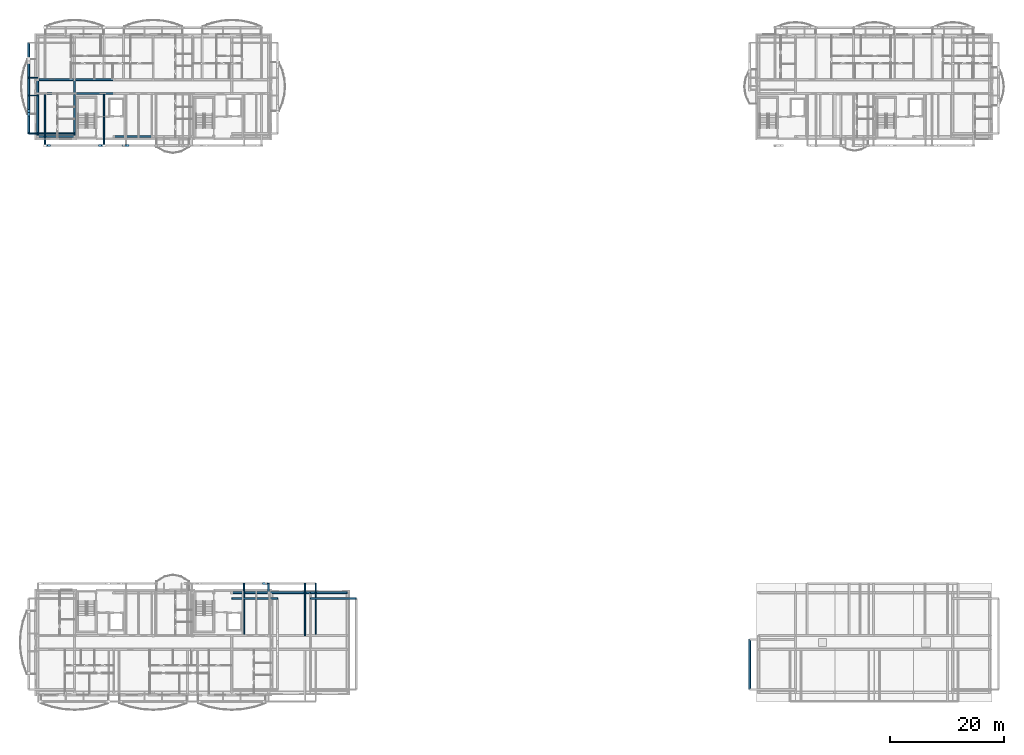
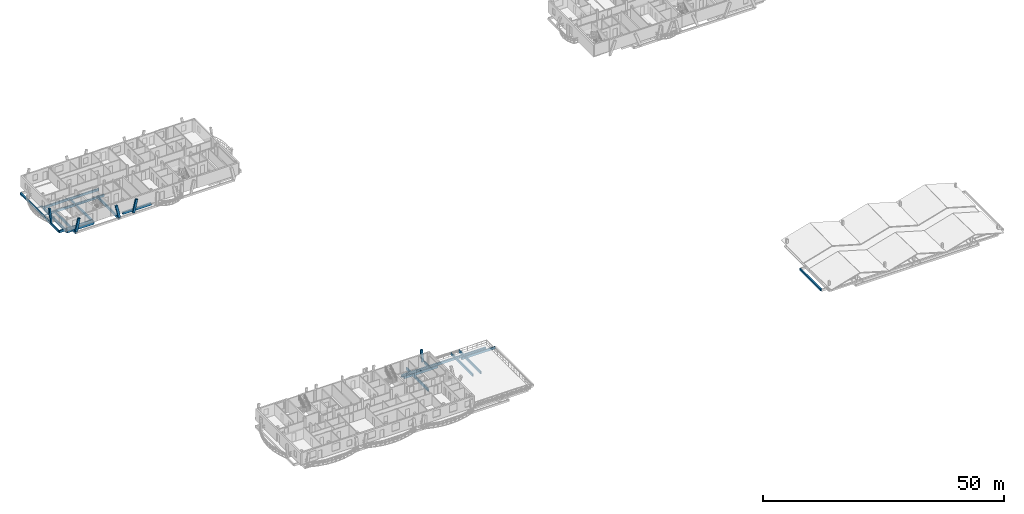
# One storey, part 4 of 33: 26 beams, 5 members.
"""IFC4 building model written with IfcOpenShell, lengths in metres."""

from ifc_helpers import new_model, si_unit, direction, frame, origin, origin_2d, place, context, subcontext, project, spatial, rectangle, i_section, extrude, material, material_profile, profile_set, type_object, element, save


model = new_model("IFC4")

# Units and contexts
model_context = context("Model", 3, precision=1e-05, world=origin(), true_north=direction((0.0, 1.0)))
body_context = subcontext(model_context, "Body", "Model", "MODEL_VIEW")
ifc_project = project(units=[si_unit("LENGTHUNIT", "METRE"), si_unit("AREAUNIT", "SQUARE_METRE"), si_unit("VOLUMEUNIT", "CUBIC_METRE"), si_unit("PLANEANGLEUNIT", "RADIAN"), si_unit("MASSUNIT", "GRAM", prefix="KILO")], contexts=[model_context])

# Site, building, storey
site_placement = place(None, origin())
site = spatial("IfcSite", under=ifc_project, at=site_placement, CompositionType="ELEMENT")
building_placement = place(site_placement, origin())
building = spatial("IfcBuilding", under=site, at=building_placement, Name="Zavelmont Quarter", CompositionType="ELEMENT")
storey_placement = place(building_placement, frame((0.0, 0.0, 30.39990234375)))
storey = spatial("IfcBuildingStorey", under=building, at=storey_placement, Name="L09", CompositionType="ELEMENT", Elevation=30.39990234375)

# Beams
ifc_material_1 = material(Name="Concrete C35/45", Category="concrete")
ifc_material_profile_1 = material_profile(ifc_material_1, rectangle(XDim=0.35009765625, YDim=0.60009765625, at=origin_2d()), Name="RC350X600")
ifc_profile_set_1 = profile_set([ifc_material_profile_1], Name="Concrete C35/45")
beam_type_1 = type_object("IfcBeamType", Name="BM01", PredefinedType="SPANDREL", material=ifc_profile_set_1)
beam_1_placement = place(storey_placement, frame((34.5, 17.9599609375, -0.539794921875), z_axis=(1.0, 0.0, 0.0), x_axis=(0.0, 1.0, 0.0)))
element("IfcBeam", 1, at=beam_1_placement, inside=storey, type_object=beam_type_1, Name="L09 beam BM01 6/D to 7/D", PredefinedType="SPANDREL", context=body_context, shape_type="SweptSolid", body=[
    extrude(rectangle(XDim=0.35009765625, YDim=0.60009765625, at=origin_2d()), origin(), (0.0, 0.0, 1.0), 6.4599609375),
])
beam_2_placement = place(storey_placement, frame((40.9599609375, 17.9599609375, -0.539794921875), z_axis=(1.0, 0.0, 0.0), x_axis=(0.0, 1.0, 0.0)))
element("IfcBeam", 2, at=beam_2_placement, inside=storey, type_object=beam_type_1, Name="L09 beam BM01 7/D to 8/D", PredefinedType="SPANDREL", context=body_context, shape_type="SweptSolid", body=[
    extrude(rectangle(XDim=0.35009765625, YDim=0.60009765625, at=origin_2d()), origin(), (0.0, 0.0, 1.0), 7.340087890625),
])
for number, where, z_axis, x_axis, name in (
    (3, (48.300048828125, 17.9599609375, -0.539794921875), (1.0, 0.0, 0.0), (0.0, 1.0, 0.0), "L09 beam BM01 8/D to 9/D"),
    (4, (0.43994140625, 98.0400390625, -0.539794921875), (1.0, 0.0, 0.0), (0.0, 1.0, 0.0), "L09 beam BM01 1/P to 2/P"),
):
    element("IfcBeam", number, at=place(storey_placement, frame(where, z_axis=z_axis, x_axis=x_axis)), inside=storey, type_object=beam_type_1, Name=name, PredefinedType="SPANDREL", context=body_context, shape_type="SweptSolid", body=[
        extrude(rectangle(XDim=0.35009765625, YDim=0.60009765625, at=origin_2d()), origin(), (0.0, 0.0, 1.0), 6.4599609375),
    ])
beam_3_placement = place(storey_placement, frame((13.800048828125, 98.0400390625, -0.539794921875), z_axis=(1.0, 0.0, 0.0), x_axis=(0.0, 1.0, 0.0)))
element("IfcBeam", 5, at=beam_3_placement, inside=storey, type_object=beam_type_1, Name="L09 beam BM01 3/P to 4/P", PredefinedType="SPANDREL", context=body_context, shape_type="SweptSolid", body=[
    extrude(rectangle(XDim=0.35009765625, YDim=0.60009765625, at=origin_2d()), origin(), (0.0, 0.0, 1.0), 6.89990234375),
])
ifc_material_profile_2 = material_profile(ifc_material_1, rectangle(XDim=0.300048828125, YDim=0.550048828125, at=origin_2d()), Name="RC300X550")
ifc_profile_set_2 = profile_set([ifc_material_profile_2], Name="Concrete C35/45")
beam_type_2 = type_object("IfcBeamType", Name="BM02", PredefinedType="SPANDREL", material=ifc_profile_set_2)
beam_4_placement = place(storey_placement, frame((0.43994140625, 105.60009765625, -0.514892578125), z_axis=(1.0, 0.0, 0.0), x_axis=(0.0, 1.0, 0.0)))
element("IfcBeam", 6, at=beam_4_placement, inside=storey, type_object=beam_type_2, Name="L09 beam BM02 1/Q to 2/Q", PredefinedType="SPANDREL", context=body_context, shape_type="SweptSolid", body=[
    extrude(rectangle(XDim=0.300048828125, YDim=0.550048828125, at=origin_2d()), origin(), (0.0, 0.0, 1.0), 6.4599609375),
])
beam_5_placement = place(storey_placement, frame((6.89990234375, 105.60009765625, -0.514892578125), z_axis=(1.0, 0.0, 0.0), x_axis=(0.0, 1.0, 0.0)))
element("IfcBeam", 7, at=beam_5_placement, inside=storey, type_object=beam_type_2, Name="L09 beam BM02 2/Q to 3/Q", PredefinedType="SPANDREL", context=body_context, shape_type="SweptSolid", body=[
    extrude(rectangle(XDim=0.300048828125, YDim=0.550048828125, at=origin_2d()), origin(), (0.0, 0.0, 1.0), 6.900146484375),
])
beam_6_placement = place(storey_placement, frame((0.43994140625, 108.0, -0.514892578125), z_axis=(1.0, 0.0, 0.0), x_axis=(0.0, 1.0, 0.0)))
element("IfcBeam", 8, at=beam_6_placement, inside=storey, type_object=beam_type_2, Name="L09 beam BM02 1/R to 2/R", PredefinedType="SPANDREL", context=body_context, shape_type="SweptSolid", body=[
    extrude(rectangle(XDim=0.300048828125, YDim=0.550048828125, at=origin_2d()), origin(), (0.0, 0.0, 1.0), 6.4599609375),
])
beam_7_placement = place(storey_placement, frame((6.89990234375, 108.0, -0.514892578125), z_axis=(1.0, 0.0, 0.0), x_axis=(0.0, 1.0, 0.0)))
element("IfcBeam", 9, at=beam_7_placement, inside=storey, type_object=beam_type_2, Name="L09 beam BM02 2/R to 3/R", PredefinedType="SPANDREL", context=body_context, shape_type="SweptSolid", body=[
    extrude(rectangle(XDim=0.300048828125, YDim=0.550048828125, at=origin_2d()), origin(), (0.0, 0.0, 1.0), 6.900146484375),
])
beam_8_placement = place(storey_placement, frame((0.43994140625, 98.0400390625, -0.514892578125), z_axis=(0.0, 1.0, 0.0), x_axis=(-1.0, 0.0, 0.0)))
element("IfcBeam", 10, at=beam_8_placement, inside=storey, type_object=beam_type_2, Name="L09 beam BM02 1/P to 1/Q", PredefinedType="SPANDREL", context=body_context, shape_type="SweptSolid", body=[
    extrude(rectangle(XDim=0.300048828125, YDim=0.550048828125, at=origin_2d()), origin(), (0.0, 0.0, 1.0), 7.56005859375),
])
beam_9_placement = place(storey_placement, frame((0.43994140625, 105.60009765625, -0.514892578125), z_axis=(0.0, 1.0, 0.0), x_axis=(-1.0, 0.0, 0.0)))
element("IfcBeam", 11, at=beam_9_placement, inside=storey, type_object=beam_type_2, Name="L09 beam BM02 1/Q to 1/R", PredefinedType="SPANDREL", context=body_context, shape_type="SweptSolid", body=[
    extrude(rectangle(XDim=0.300048828125, YDim=0.550048828125, at=origin_2d()), origin(), (0.0, 0.0, 1.0), 2.39990234375),
])
beam_10_placement = place(storey_placement, frame((6.89990234375, 98.0400390625, -0.514892578125), z_axis=(0.0, 1.0, 0.0), x_axis=(-1.0, 0.0, 0.0)))
element("IfcBeam", 12, at=beam_10_placement, inside=storey, type_object=beam_type_2, Name="L09 beam BM02 2/P to 2/Q", PredefinedType="SPANDREL", context=body_context, shape_type="SweptSolid", body=[
    extrude(rectangle(XDim=0.300048828125, YDim=0.550048828125, at=origin_2d()), origin(), (0.0, 0.0, 1.0), 7.56005859375),
])
beam_11_placement = place(storey_placement, frame((6.89990234375, 105.60009765625, -0.514892578125), z_axis=(0.0, 1.0, 0.0), x_axis=(-1.0, 0.0, 0.0)))
element("IfcBeam", 13, at=beam_11_placement, inside=storey, type_object=beam_type_2, Name="L09 beam BM02 2/Q to 2/R", PredefinedType="SPANDREL", context=body_context, shape_type="SweptSolid", body=[
    extrude(rectangle(XDim=0.300048828125, YDim=0.550048828125, at=origin_2d()), origin(), (0.0, 0.0, 1.0), 2.39990234375),
])
ifc_material_profile_3 = material_profile(ifc_material_1, rectangle(XDim=0.300048828125, YDim=0.5, at=origin_2d()), Name="RC300X500")
ifc_profile_set_3 = profile_set([ifc_material_profile_3], Name="Concrete C35/45")
beam_type_3 = type_object("IfcBeamType", Name="BM03", PredefinedType="BEAM", material=ifc_profile_set_3)
beam_12_placement = place(storey_placement, frame((-1.14990234375, 98.550048828125, -0.25), z_axis=(0.0, 1.0, 0.0), x_axis=(-1.0, 0.0, 0.0)))
element("IfcBeam", 14, at=beam_12_placement, inside=storey, type_object=beam_type_3, Name="L09 beam BM03 1/P to 1/S", PredefinedType="BEAM", context=body_context, shape_type="SweptSolid", body=[
    extrude(rectangle(XDim=0.300048828125, YDim=0.5, at=origin_2d()), origin(), (0.0, 0.0, 1.0), 15.949951171875),
])
beam_13_placement = place(storey_placement, frame((125.449951171875, 0.949951171875, -0.25), z_axis=(0.0, 1.0, 0.0), x_axis=(-1.0, 0.0, 0.0)))
element("IfcBeam", 15, at=beam_13_placement, inside=storey, type_object=beam_type_3, Name="L09 beam BM03 19/A to 19/C", PredefinedType="BEAM", context=body_context, shape_type="SweptSolid", body=[
    extrude(rectangle(XDim=0.300048828125, YDim=0.5, at=origin_2d()), origin(), (0.0, 0.0, 1.0), 8.800048828125),
])
ifc_material_2 = material(Name="Steel S355", Category="steel")
ifc_material_profile_4 = material_profile(ifc_material_2, i_section(OverallWidth=0.110107421875, OverallDepth=0.219970703125, WebThickness=0.005859375, FlangeThickness=0.00927734375, at=origin_2d()), Name="IPE 220")
ifc_profile_set_4 = profile_set([ifc_material_profile_4], Name="Steel S355")
beam_type_4 = type_object("IfcBeamType", Name="BM15", PredefinedType="JOIST", material=ifc_profile_set_4)
for number, where, z_axis, x_axis, name in (
    (16, (0.43994140625, 105.25, -0.351806640625), (-1.0, 0.0, 0.0), (0.0, -1.0, 0.0), "L09 beam BM15 1/Q to 1/Q"),
    (17, (0.43994140625, 108.35009765625, -0.351806640625), (-1.0, 0.0, 0.0), (0.0, -1.0, 0.0), "L09 beam BM15 1/R to 1/R"),
):
    element("IfcBeam", number, at=place(storey_placement, frame(where, z_axis=z_axis, x_axis=x_axis)), inside=storey, type_object=beam_type_4, Name=name, PredefinedType="JOIST", context=body_context, shape_type="SweptSolid", body=[
        extrude(i_section(OverallWidth=0.110107421875, OverallDepth=0.219970703125, WebThickness=0.005859375, FlangeThickness=0.00927734375, at=origin_2d()), origin(), (0.0, 0.0, 1.0), 1.58984375),
    ])
ifc_material_3 = material(Name="Concrete C40/50", Category="concrete")
ifc_material_profile_5 = material_profile(ifc_material_3, rectangle(XDim=0.25, YDim=0.60009765625, at=origin_2d()), Name="RC250X600")
ifc_profile_set_5 = profile_set([ifc_material_profile_5], Name="Concrete C40/50")
beam_type_5 = type_object("IfcBeamType", Name="BM18", PredefinedType="BEAM", material=ifc_profile_set_5)
beam_14_placement = place(storey_placement, frame((36.625, 10.39990234375, -0.2998046875), z_axis=(0.0, 1.0, 0.0), x_axis=(-1.0, 0.0, 0.0)))
element("IfcBeam", 18, at=beam_14_placement, inside=storey, type_object=beam_type_5, Name="L09 beam BM18 6/C to 6/D", PredefinedType="BEAM", context=body_context, shape_type="SweptSolid", body=[
    extrude(rectangle(XDim=0.25, YDim=0.60009765625, at=origin_2d()), origin(), (0.0, 0.0, 1.0), 9.150146484375),
])
beam_15_placement = place(storey_placement, frame((40.9599609375, 17.9599609375, -0.2998046875), z_axis=(0.0, 1.0, 0.0), x_axis=(-1.0, 0.0, 0.0)))
element("IfcBeam", 19, at=beam_15_placement, inside=storey, type_object=beam_type_5, Name="L09 beam BM18 7/D to 7/D", PredefinedType="BEAM", context=body_context, shape_type="SweptSolid", body=[
    extrude(rectangle(XDim=0.25, YDim=0.60009765625, at=origin_2d()), origin(), (0.0, 0.0, 1.0), 1.590087890625),
])
for number, where, z_axis, x_axis, name in (
    (20, (47.35009765625, 10.39990234375, -0.2998046875), (0.0, 1.0, 0.0), (-1.0, 0.0, 0.0), "L09 beam BM18 8/C to 8/D"),
    (21, (49.25, 10.39990234375, -0.2998046875), (0.0, 1.0, 0.0), (-1.0, 0.0, 0.0), "L09 beam BM18 8/C to 8/D"),
):
    element("IfcBeam", number, at=place(storey_placement, frame(where, z_axis=z_axis, x_axis=x_axis)), inside=storey, type_object=beam_type_5, Name=name, PredefinedType="BEAM", context=body_context, shape_type="SweptSolid", body=[
        extrude(rectangle(XDim=0.25, YDim=0.60009765625, at=origin_2d()), origin(), (0.0, 0.0, 1.0), 9.150146484375),
    ])
for number, where, z_axis, x_axis, name in (
    (22, (48.300048828125, 16.89990234375, -0.2998046875), (1.0, 0.0, 0.0), (0.0, 1.0, 0.0), "L09 beam BM18 8/D to 9/D"),
    (23, (34.5, 16.89990234375, -0.2998046875), (1.0, 0.0, 0.0), (0.0, 1.0, 0.0), "L09 beam BM18 6/D to 7/D"),
):
    element("IfcBeam", number, at=place(storey_placement, frame(where, z_axis=z_axis, x_axis=x_axis)), inside=storey, type_object=beam_type_5, Name=name, PredefinedType="BEAM", context=body_context, shape_type="SweptSolid", body=[
        extrude(rectangle(XDim=0.25, YDim=0.60009765625, at=origin_2d()), origin(), (0.0, 0.0, 1.0), 8.050048828125),
    ])
for number, where, z_axis, x_axis, name in (
    (24, (1.703857421875, 105.60009765625, -0.2998046875), (0.0, -1.0, 0.0), (1.0, 0.0, 0.0), "L09 beam BM18 1/Q to 1/P"),
    (25, (12.09619140625, 105.60009765625, -0.2998046875), (0.0, -1.0, 0.0), (1.0, 0.0, 0.0), "L09 beam BM18 3/Q to 3/P"),
):
    element("IfcBeam", number, at=place(storey_placement, frame(where, z_axis=z_axis, x_axis=x_axis)), inside=storey, type_object=beam_type_5, Name=name, PredefinedType="BEAM", context=body_context, shape_type="SweptSolid", body=[
        extrude(rectangle(XDim=0.25, YDim=0.60009765625, at=origin_2d()), origin(), (0.0, 0.0, 1.0), 9.150146484375),
    ])
beam_16_placement = place(storey_placement, frame((6.89990234375, 98.550048828125, -0.2998046875), z_axis=(-1.0, 0.0, 0.0), x_axis=(0.0, -1.0, 0.0)))
element("IfcBeam", 26, at=beam_16_placement, inside=storey, type_object=beam_type_5, Name="L09 beam BM18 2/P to 1/P", PredefinedType="BEAM", context=body_context, shape_type="SweptSolid", body=[
    extrude(rectangle(XDim=0.25, YDim=0.60009765625, at=origin_2d()), origin(), (0.0, 0.0, 1.0), 8.0498046875),
])

# Members
ifc_material_4 = material(Name="White architectural precast concrete C40/50", Category="concrete")
ifc_material_profile_6 = material_profile(ifc_material_4, rectangle(XDim=0.360107421875, YDim=0.5400390625, at=origin_2d()), Name="PCR280X420")
ifc_profile_set_6 = profile_set([ifc_material_profile_6], Name="White architectural precast concrete C40/50")
member_type = type_object("IfcMemberType", Name="VR02M", PredefinedType="CHORD", material=ifc_profile_set_6)
member_1_placement = place(storey_placement, frame((40.50341796875, 19.550048828125, 0.0), z_axis=(-0.096059666286, 0.0, 0.995375577615), x_axis=(0.0, -1.0, 0.0)))
element("IfcMember", 27, at=member_1_placement, inside=storey, type_object=member_type, Name="L09 member VR02M 7/D to 7/D", PredefinedType="CHORD", context=body_context, shape_type="SweptSolid", body=[
    extrude(rectangle(XDim=0.360107421875, YDim=0.5400390625, at=origin_2d()), origin(), (0.0, 0.0, 1.0), 3.215087890625),
])
for number, where, z_axis, x_axis, name in (
    (28, (1.703857421875, 96.449951171875, 0.0), (0.219986759807, 0.0, 0.975502857766), (0.0, 1.0, 0.0), "L09 member VR02M 1/P to 1/P"),
    (29, (12.09619140625, 96.449951171875, 0.0), (-0.219986759807, 0.0, 0.975502857766), (0.0, -1.0, 0.0), "L09 member VR02M 3/P to 3/P"),
    (30, (15.50390625, 96.449951171875, 0.0), (0.219986759807, 0.0, 0.975502857766), (0.0, 1.0, 0.0), "L09 member VR02M 3/P to 3/P"),
):
    element("IfcMember", number, at=place(storey_placement, frame(where, z_axis=z_axis, x_axis=x_axis)), inside=storey, type_object=member_type, Name=name, PredefinedType="CHORD", context=body_context, shape_type="SweptSolid", body=[
        extrude(rectangle(XDim=0.360107421875, YDim=0.5400390625, at=origin_2d()), origin(), (0.0, 0.0, 1.0), 3.280517578125),
    ])
member_2_placement = place(storey_placement, frame((-1.14990234375, 101.89599609375, 0.0), z_axis=(0.0, 0.200454931619, 0.979702924559), x_axis=(-1.0, 0.0, 0.0)))
element("IfcMember", 31, at=member_2_placement, inside=storey, type_object=member_type, Name="L09 member VR02M 1/Q to 1/Q", PredefinedType="CHORD", context=body_context, shape_type="SweptSolid", body=[
    extrude(rectangle(XDim=0.360107421875, YDim=0.5400390625, at=origin_2d()), origin(), (0.0, 0.0, 1.0), 3.2666015625),
])

save(model, "model.ifc")
